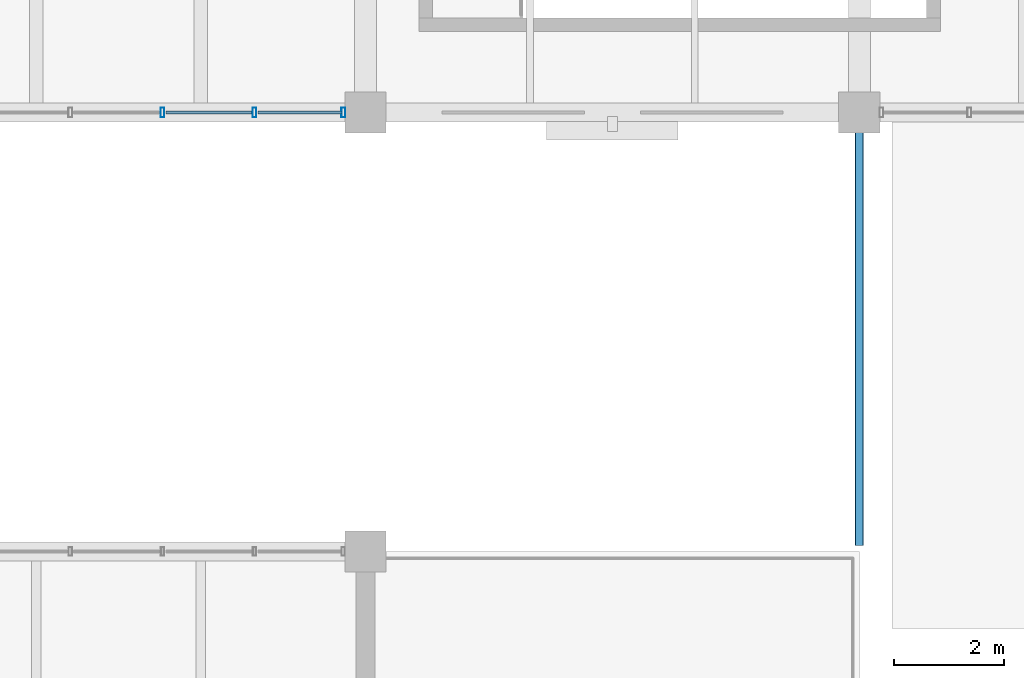
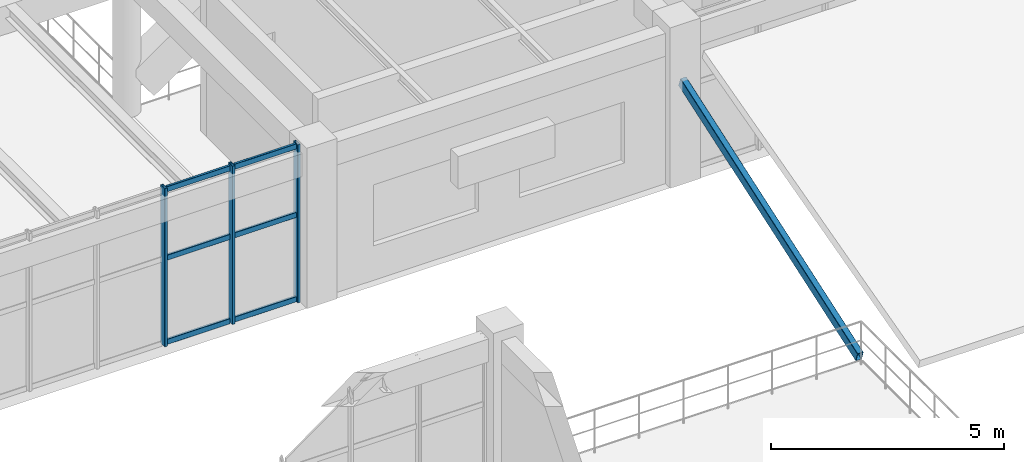
# One storey, part 25 of 148: 10 members, 1 element without a shape of its own.
"""IFC4 building model written with IfcOpenShell, lengths in metres."""

from ifc_helpers import new_model, si_unit, derived_unit, direction, frame, origin, origin_2d, place, context, subcontext, project, spatial, hollow_rectangle, extrude, material, material_profile, profile_set, type_object, element, aggregate, save


model = new_model("IFC4")

# Units and contexts
model_context = context("Model", 3, precision=1e-05, world=origin(), true_north=direction((0.0, 1.0)))
body_context = subcontext(model_context, "Body", "Model", "MODEL_VIEW")
ifc_project = project(units=[si_unit("LENGTHUNIT", "METRE"), si_unit("AREAUNIT", "SQUARE_METRE"), si_unit("VOLUMEUNIT", "CUBIC_METRE"), si_unit("PLANEANGLEUNIT", "RADIAN"), si_unit("MASSUNIT", "GRAM", prefix="KILO"), derived_unit("THERMALTRANSMITTANCEUNIT", [(si_unit("MASSUNIT", "GRAM", prefix="KILO"), 1), (si_unit("TIMEUNIT", "SECOND"), -3), (si_unit("THERMODYNAMICTEMPERATUREUNIT", "KELVIN"), -1)])], contexts=[model_context])

# Site, building, storey
site_placement = place(None, origin())
site = spatial("IfcSite", under=ifc_project, at=site_placement, CompositionType="ELEMENT")
building_placement = place(site_placement, origin())
building = spatial("IfcBuilding", under=site, at=building_placement, Name="Zhenchuan Archway Interchange", CompositionType="ELEMENT")
storey_placement = place(building_placement, frame((0.0, 0.0, 10.199951171875)))
storey = spatial("IfcBuildingStorey", under=building, at=storey_placement, Name="L02", CompositionType="ELEMENT", Elevation=10.199951171875)

# Curtain wall, members
ifc_material_1 = material(Name="Anodised Aluminium", Category="aluminium")
curtain_wall_type = type_object("IfcCurtainWallType", Name="CW_UNIT_2", PredefinedType="NOTDEFINED", material=ifc_material_1)
curtain_wall_placement = place(storey_placement, origin())
curtain_wall = element("IfcCurtainWall", 1, at=curtain_wall_placement, inside=storey, type_object=curtain_wall_type, Name="Unitised curtain wall CW:L02:125", PredefinedType="NOTDEFINED")
ifc_material_profile_1 = material_profile(ifc_material_1, hollow_rectangle(XDim=0.070068359375, YDim=0.179931640625, WallThickness=0.00390625, InnerFilletRadius=0.00390625, OuterFilletRadius=0.008056640625, at=origin_2d()), Name="ALU 180x70x4")
ifc_profile_set_1 = profile_set([ifc_material_profile_1], Name="Anodised Aluminium")
member_type_1 = type_object("IfcMemberType", Name="CW_MUL_180", PredefinedType="MULLION", material=ifc_profile_set_1)
member_1_placement = place(storey_placement, frame((35.596923828125, 24.0, 0.0), z_axis=(0.0, 0.0, 1.0), x_axis=(1.0, 0.0, 0.0)))
member_1 = element("IfcMember", 2, at=member_1_placement, type_object=member_type_1, Name="CW:L02:125 mullion 0", PredefinedType="MULLION", context=body_context, shape_type="SweptSolid", body=[
    extrude(hollow_rectangle(XDim=0.070068359375, YDim=0.179931640625, WallThickness=0.00390625, InnerFilletRadius=0.00390625, OuterFilletRadius=0.008056640625, at=origin_2d()), origin(), (0.0, 0.0, 1.0), 4.14013671875),
])
member_2_placement = place(storey_placement, frame((33.979248046875, 24.0, 0.0), z_axis=(0.0, 0.0, 1.0), x_axis=(1.0, 0.0, 0.0)))
member_2 = element("IfcMember", 3, at=member_2_placement, type_object=member_type_1, Name="CW:L02:125 mullion 1", PredefinedType="MULLION", context=body_context, shape_type="SweptSolid", body=[
    extrude(hollow_rectangle(XDim=0.070068359375, YDim=0.179931640625, WallThickness=0.00390625, InnerFilletRadius=0.00390625, OuterFilletRadius=0.008056640625, at=origin_2d()), origin(), (0.0, 0.0, 1.0), 4.14013671875),
])
member_3_placement = place(storey_placement, frame((32.301513671875, 24.0, 0.0), z_axis=(0.0, 0.0, 1.0), x_axis=(1.0, 0.0, 0.0)))
member_3 = element("IfcMember", 4, at=member_3_placement, type_object=member_type_1, Name="CW:L02:125 mullion 2", PredefinedType="MULLION", context=body_context, shape_type="SweptSolid", body=[
    extrude(hollow_rectangle(XDim=0.070068359375, YDim=0.179931640625, WallThickness=0.00390625, InnerFilletRadius=0.00390625, OuterFilletRadius=0.008056640625, at=origin_2d()), origin(), (0.0, 0.0, 1.0), 4.14013671875),
])
ifc_material_profile_2 = material_profile(ifc_material_1, hollow_rectangle(XDim=0.06005859375, YDim=0.139892578125, WallThickness=0.00341796875, InnerFilletRadius=0.00341796875, OuterFilletRadius=0.007080078125, at=origin_2d()), Name="ALU 140x60x3.5")
ifc_profile_set_2 = profile_set([ifc_material_profile_2], Name="Anodised Aluminium")
member_type_2 = type_object("IfcMemberType", Name="CW_TRN_140", PredefinedType="USERDEFINED", material=ifc_profile_set_2)
member_4_placement = place(storey_placement, frame((35.576904296875, 24.0, 0.06005859375), z_axis=(-1.0, 0.0, 0.0), x_axis=(0.0, -1.0, 0.0)))
member_4 = element("IfcMember", 5, at=member_4_placement, type_object=member_type_2, Name="CW:L02:125 transom 0-1", ObjectType="TRANSOM", PredefinedType="USERDEFINED", context=body_context, shape_type="SweptSolid", body=[
    extrude(hollow_rectangle(XDim=0.06005859375, YDim=0.139892578125, WallThickness=0.00341796875, InnerFilletRadius=0.00341796875, OuterFilletRadius=0.007080078125, at=origin_2d()), origin(), (0.0, 0.0, 1.0), 1.53759765625),
])
member_5_placement = place(storey_placement, frame((35.576904296875, 24.0, 2.26611328125), z_axis=(-1.0, 0.0, 0.0), x_axis=(0.0, -1.0, 0.0)))
member_5 = element("IfcMember", 6, at=member_5_placement, type_object=member_type_2, Name="CW:L02:125 transom 0-2", ObjectType="TRANSOM", PredefinedType="USERDEFINED", context=body_context, shape_type="SweptSolid", body=[
    extrude(hollow_rectangle(XDim=0.06005859375, YDim=0.139892578125, WallThickness=0.00341796875, InnerFilletRadius=0.00341796875, OuterFilletRadius=0.007080078125, at=origin_2d()), origin(), (0.0, 0.0, 1.0), 1.53759765625),
])
member_6_placement = place(storey_placement, frame((35.576904296875, 24.0, 4.06005859375), z_axis=(-1.0, 0.0, 0.0), x_axis=(0.0, -1.0, 0.0)))
member_6 = element("IfcMember", 7, at=member_6_placement, type_object=member_type_2, Name="CW:L02:125 transom 0-3", ObjectType="TRANSOM", PredefinedType="USERDEFINED", context=body_context, shape_type="SweptSolid", body=[
    extrude(hollow_rectangle(XDim=0.06005859375, YDim=0.139892578125, WallThickness=0.00341796875, InnerFilletRadius=0.00341796875, OuterFilletRadius=0.007080078125, at=origin_2d()), origin(), (0.0, 0.0, 1.0), 1.53759765625),
])
member_7_placement = place(storey_placement, frame((33.919189453125, 24.0, 0.06005859375), z_axis=(-1.0, 0.0, 0.0), x_axis=(0.0, -1.0, 0.0)))
member_7 = element("IfcMember", 8, at=member_7_placement, type_object=member_type_2, Name="CW:L02:125 transom 1-1", ObjectType="TRANSOM", PredefinedType="USERDEFINED", context=body_context, shape_type="SweptSolid", body=[
    extrude(hollow_rectangle(XDim=0.06005859375, YDim=0.139892578125, WallThickness=0.00341796875, InnerFilletRadius=0.00341796875, OuterFilletRadius=0.007080078125, at=origin_2d()), origin(), (0.0, 0.0, 1.0), 1.557861328125),
])
member_8_placement = place(storey_placement, frame((33.919189453125, 24.0, 2.26611328125), z_axis=(-1.0, 0.0, 0.0), x_axis=(0.0, -1.0, 0.0)))
member_8 = element("IfcMember", 9, at=member_8_placement, type_object=member_type_2, Name="CW:L02:125 transom 1-2", ObjectType="TRANSOM", PredefinedType="USERDEFINED", context=body_context, shape_type="SweptSolid", body=[
    extrude(hollow_rectangle(XDim=0.06005859375, YDim=0.139892578125, WallThickness=0.00341796875, InnerFilletRadius=0.00341796875, OuterFilletRadius=0.007080078125, at=origin_2d()), origin(), (0.0, 0.0, 1.0), 1.557861328125),
])
member_9_placement = place(storey_placement, frame((33.919189453125, 24.0, 4.06005859375), z_axis=(-1.0, 0.0, 0.0), x_axis=(0.0, -1.0, 0.0)))
member_9 = element("IfcMember", 10, at=member_9_placement, type_object=member_type_2, Name="CW:L02:125 transom 1-3", ObjectType="TRANSOM", PredefinedType="USERDEFINED", context=body_context, shape_type="SweptSolid", body=[
    extrude(hollow_rectangle(XDim=0.06005859375, YDim=0.139892578125, WallThickness=0.00341796875, InnerFilletRadius=0.00341796875, OuterFilletRadius=0.007080078125, at=origin_2d()), origin(), (0.0, 0.0, 1.0), 1.557861328125),
])
aggregate(curtain_wall, [member_1, member_2, member_3, member_4, member_5, member_6, member_7, member_8, member_9])

# Member
ifc_material_2 = material(Name="Steel Q355", Category="steel")
ifc_material_profile_3 = material_profile(ifc_material_2, hollow_rectangle(XDim=0.14990234375, YDim=0.25, WallThickness=0.008056640625, InnerFilletRadius=0.008056640625, OuterFilletRadius=0.01611328125, at=origin_2d()), Name="RHS 250x150x8")
ifc_profile_set_3 = profile_set([ifc_material_profile_3], Name="Steel Q355")
member_type_3 = type_object("IfcMemberType", Name="MB_RHS250", PredefinedType="PURLIN", material=ifc_profile_set_3)
member_10_placement = place(storey_placement, frame((45.0, 16.14990234375, 0.0), z_axis=(0.0, 0.946161535326, 0.323694839423), x_axis=(-1.0, 0.0, 0.0)))
element("IfcMember", 11, at=member_10_placement, inside=storey, type_object=member_type_3, Name="Concourse south entry roof rafter X45", PredefinedType="PURLIN", context=body_context, shape_type="SweptSolid", body=[
    extrude(hollow_rectangle(XDim=0.14990234375, YDim=0.25, WallThickness=0.008056640625, InnerFilletRadius=0.008056640625, OuterFilletRadius=0.01611328125, at=origin_2d()), origin(), (0.0, 0.0, 1.0), 8.032470703125),
])

save(model, "model.ifc")
